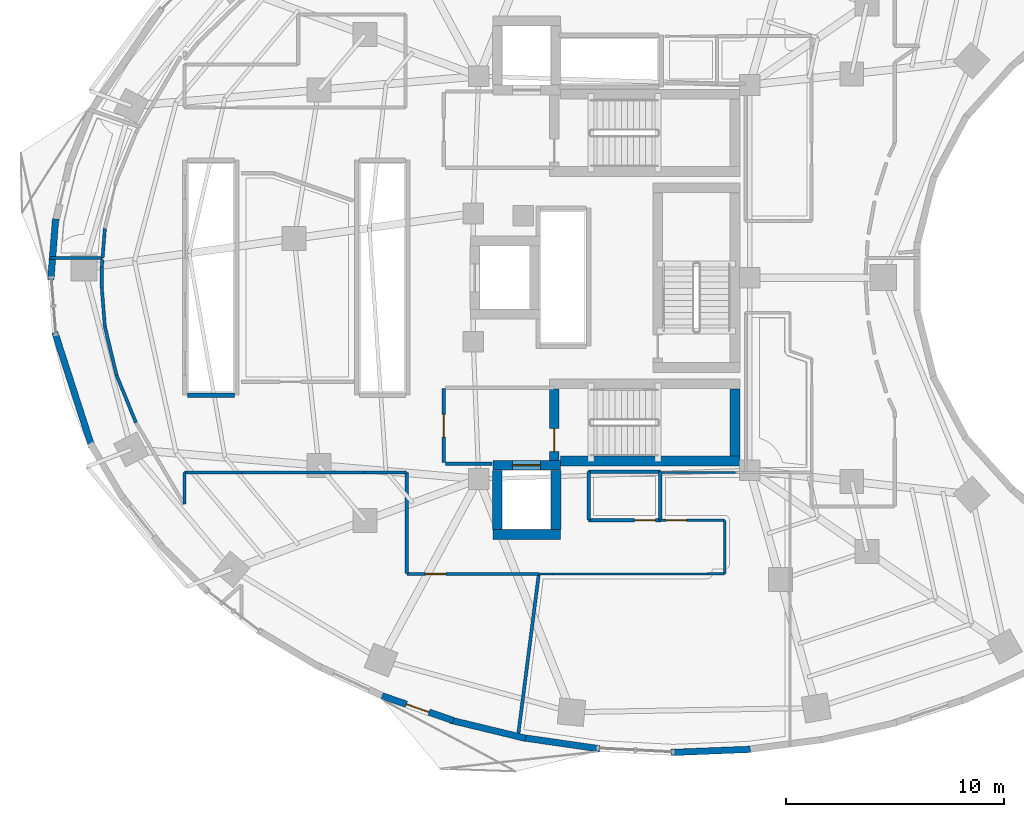
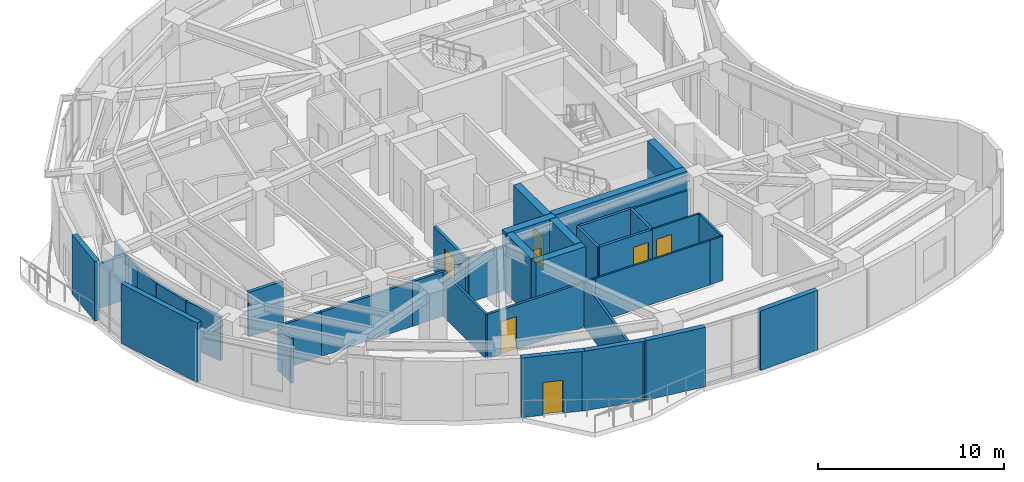
# One storey, part 8 of 15: 40 walls, 7 doors, 7 openings.
"""IFC4 building model written with IfcOpenShell, lengths in metres."""

from ifc_helpers import new_model, si_unit, direction, frame, frame_2d, origin, place, context, subcontext, project, spatial, rectangle, extrude, material, layer, layer_set, type_object, element, fill, save


model = new_model("IFC4")

# Units and contexts
model_context = context("Model", 3, precision=1e-05, world=origin(), true_north=direction((0.0, 1.0)))
body_context = subcontext(model_context, "Body", "Model", "MODEL_VIEW")
ifc_project = project(units=[si_unit("LENGTHUNIT", "METRE"), si_unit("AREAUNIT", "SQUARE_METRE"), si_unit("VOLUMEUNIT", "CUBIC_METRE"), si_unit("PLANEANGLEUNIT", "RADIAN"), si_unit("MASSUNIT", "GRAM", prefix="KILO")], contexts=[model_context])

# Site, building, storey
site_placement = place(None, origin())
site = spatial("IfcSite", under=ifc_project, at=site_placement, CompositionType="ELEMENT")
building_placement = place(site_placement, origin())
building = spatial("IfcBuilding", under=site, at=building_placement, Name="Korentha Bioscience Tower", CompositionType="ELEMENT")
storey_placement = place(building_placement, frame((0.0, 0.0, 127.800048828125)))
storey = spatial("IfcBuildingStorey", under=building, at=storey_placement, Name="L29", CompositionType="ELEMENT", Elevation=127.800048828125)

# Wall, opening, door
ifc_material_1 = material(Name="Double-Stud Acoustic Gypsum", Category="gypsum")
ifc_layer_1 = layer(ifc_material_1, 0.14990234375, Name="Double-Stud Acoustic Gypsum")
ifc_layer_set_1 = layer_set([ifc_layer_1], Name="Double-Stud Acoustic Gypsum (IW-L150)")
wall_type_1 = type_object("IfcWallType", Name="Acoustic Laboratory Partition Wall 150", PredefinedType="PARTITIONING", material=ifc_layer_set_1)
wall_1_placement = place(storey_placement, frame((21.800048828125, 13.389892578125, 0.0), z_axis=(0.0, 0.0, 1.0), x_axis=(1.0, 0.0, 0.0)))
wall_1 = element("IfcWall", 1, at=wall_1_placement, inside=storey, type_object=wall_type_1, Name="L29 Biomechanical Motion Analysis Lab 02 Entrance Wall", PredefinedType="PARTITIONING", context=body_context, shape_type="SweptSolid", body=[
    extrude(rectangle(XDim=6.062255859375, YDim=0.14990234375, at=frame_2d((3.03125, 0.0))), origin(), (0.0, 0.0, 1.0), 2.909912109375),
])
opening_1_placement = place(wall_1_placement, frame((0.8466796875, 0.0, 0.0)))
opening_1 = element("IfcOpeningElement", 2, at=opening_1_placement, cuts=wall_1, Name="Opening ID-10L", PredefinedType="OPENING", context=body_context, shape_type="SweptSolid", body=[
    extrude(rectangle(XDim=0.949951171875, YDim=2.14990234375, at=frame_2d((0.47509765625, 1.074951171875))), frame((0.0, 0.08984375, 0.0), z_axis=(0.0, -1.0, 0.0), x_axis=(1.0, 0.0, 0.0)), (0.0, 0.0, 1.0), 0.1796875),
])
ifc_material_2 = material(Name="Phenolic Laminate Timber Core", Category="wood")
door_type_1 = type_object("IfcDoorType", Name="Laboratory Single Leaf Door 950x2150 Left", OperationType="SINGLE_SWING_LEFT", PredefinedType="DOOR", material=ifc_material_2)
door_1_placement = place(opening_1_placement, origin())
door_1 = element("IfcDoor", 3, at=door_1_placement, inside=storey, type_object=door_type_1, Name="L29 Biomechanical Motion Analysis Lab 02 Door", OperationType="SINGLE_SWING_LEFT", OverallHeight=2.14990234375, OverallWidth=0.949951171875, PredefinedType="DOOR", context=body_context, shape_type="SweptSolid", body=[
    extrude(rectangle(XDim=0.949951171875, YDim=2.14990234375, at=frame_2d((0.47509765625, 1.074951171875))), frame((0.0, 0.02490234375, 0.0), z_axis=(0.0, -1.0, 0.0), x_axis=(1.0, 0.0, 0.0)), (0.0, 0.0, 1.0), 0.050048828125),
])
fill(opening_1, door_1)

# Walls
wall_2_placement = place(storey_placement, frame((5.40625, 27.89794921875, 0.0), z_axis=(0.0, 0.0, 1.0), x_axis=(1.0, 0.0, 0.0)))
element("IfcWall", 4, at=wall_2_placement, inside=storey, type_object=wall_type_1, Name="L29 Interior Partition 021", PredefinedType="PARTITIONING", context=body_context, shape_type="SweptSolid", body=[
    extrude(rectangle(XDim=2.416748046875, YDim=0.14990234375, at=frame_2d((1.20849609375, 0.0))), origin(), (0.0, 0.0, 1.0), 2.909912109375),
])
wall_3_placement = place(storey_placement, frame((7.816650390625, 27.820068359375, 0.0), z_axis=(0.0, 0.0, 1.0), x_axis=(-0.078910750646, -0.996881684771, 0.0)))
element("IfcWall", 5, at=wall_3_placement, inside=storey, type_object=wall_type_1, Name="L29 Interior Partition 022", PredefinedType="PARTITIONING", context=body_context, shape_type="SweptSolid", body=[
    extrude(rectangle(XDim=0.337158203125, YDim=0.14990234375, at=frame_2d((0.16845703125, 0.0))), origin(), (0.0, 0.0, 1.0), 2.909912109375),
])
wall_4_placement = place(storey_placement, frame((7.7900390625, 27.48291015625, 0.0), z_axis=(0.0, 0.0, 1.0), x_axis=(0.0, -1.0, 0.0)))
element("IfcWall", 6, at=wall_4_placement, inside=storey, type_object=wall_type_1, Name="L29 Interior Partition 023", PredefinedType="PARTITIONING", context=body_context, shape_type="SweptSolid", body=[
    extrude(rectangle(XDim=0.9658203125, YDim=0.14990234375, at=frame_2d((0.48291015625, 0.0))), origin(), (0.0, 0.0, 1.0), 2.909912109375),
])
wall_5_placement = place(storey_placement, frame((7.7900390625, 26.51611328125, 0.0), z_axis=(0.0, 0.0, 1.0), x_axis=(0.079131522864, -0.996864184375, 0.0)))
element("IfcWall", 7, at=wall_5_placement, inside=storey, type_object=wall_type_1, Name="L29 Interior Partition 024", PredefinedType="PARTITIONING", context=body_context, shape_type="SweptSolid", body=[
    extrude(rectangle(XDim=1.77099609375, YDim=0.14990234375, at=frame_2d((0.885498046875, 0.0))), origin(), (0.0, 0.0, 1.0), 2.909912109375),
])
wall_6_placement = place(storey_placement, frame((7.930419921875, 24.749267578125, 0.0), z_axis=(0.0, 0.0, 1.0), x_axis=(0.233675196412, -0.972314713754, 0.0)))
element("IfcWall", 8, at=wall_6_placement, inside=storey, type_object=wall_type_1, Name="L29 Interior Partition 025", PredefinedType="PARTITIONING", context=body_context, shape_type="SweptSolid", body=[
    extrude(rectangle(XDim=2.291259765625, YDim=0.14990234375, at=frame_2d((1.1455078125, 0.0))), origin(), (0.0, 0.0, 1.0), 2.909912109375),
])
wall_7_placement = place(storey_placement, frame((8.46630859375, 22.520263671875, 0.0), z_axis=(0.0, 0.0, 1.0), x_axis=(0.378306283753, -0.925680482495, 0.0)))
element("IfcWall", 9, at=wall_7_placement, inside=storey, type_object=wall_type_1, Name="L29 Interior Partition 026", PredefinedType="PARTITIONING", context=body_context, shape_type="SweptSolid", body=[
    extrude(rectangle(XDim=2.358154296875, YDim=0.14990234375, at=frame_2d((1.17919921875, 0.0))), origin(), (0.0, 0.0, 1.0), 2.909912109375),
])
wall_8_placement = place(storey_placement, frame((11.590087890625, 16.592041015625, 0.0), z_axis=(0.0, 0.0, 1.0), x_axis=(0.0, 1.0, 0.0)))
element("IfcWall", 10, at=wall_8_placement, inside=storey, type_object=wall_type_1, Name="L29 Interior Partition 028", PredefinedType="PARTITIONING", context=body_context, shape_type="SweptSolid", body=[
    extrude(rectangle(XDim=1.4560546875, YDim=0.14990234375, at=frame_2d((0.72802734375, 0.0))), origin(), (0.0, 0.0, 1.0), 2.909912109375),
])
wall_9_placement = place(storey_placement, frame((11.590087890625, 18.048095703125, 0.0), z_axis=(0.0, 0.0, 1.0), x_axis=(1.0, 0.0, 0.0)))
element("IfcWall", 11, at=wall_9_placement, inside=storey, type_object=wall_type_1, Name="L29 Interior Partition 029", PredefinedType="PARTITIONING", context=body_context, shape_type="SweptSolid", body=[
    extrude(rectangle(XDim=2.60791015625, YDim=0.14990234375, at=frame_2d((1.303955078125, 0.0))), origin(), (0.0, 0.0, 1.0), 2.909912109375),
])
wall_10_placement = place(storey_placement, frame((14.2021484375, 18.048095703125, 0.0), z_axis=(0.0, 0.0, 1.0), x_axis=(1.0, 0.0, 0.0)))
element("IfcWall", 12, at=wall_10_placement, inside=storey, type_object=wall_type_1, Name="L29 Interior Partition 030", PredefinedType="PARTITIONING", context=body_context, shape_type="SweptSolid", body=[
    extrude(rectangle(XDim=5.633056640625, YDim=0.14990234375, at=frame_2d((2.81640625, 0.0))), origin(), (0.0, 0.0, 1.0), 2.909912109375),
])
wall_11_placement = place(storey_placement, frame((19.84130859375, 18.048095703125, 0.0), z_axis=(0.0, 0.0, 1.0), x_axis=(1.0, 0.0, 0.0)))
element("IfcWall", 13, at=wall_11_placement, inside=storey, type_object=wall_type_1, Name="L29 Interior Partition 031", PredefinedType="PARTITIONING", context=body_context, shape_type="SweptSolid", body=[
    extrude(rectangle(XDim=1.94873046875, YDim=0.14990234375, at=frame_2d((0.974365234375, 0.0))), origin(), (0.0, 0.0, 1.0), 2.909912109375),
])
wall_12_placement = place(storey_placement, frame((21.7900390625, 18.048095703125, 0.0), z_axis=(0.0, 0.0, 1.0), x_axis=(0.0, -1.0, 0.0)))
element("IfcWall", 14, at=wall_12_placement, inside=storey, type_object=wall_type_1, Name="L29 Interior Partition 032", PredefinedType="PARTITIONING", context=body_context, shape_type="SweptSolid", body=[
    extrude(rectangle(XDim=4.648193359375, YDim=0.14990234375, at=frame_2d((2.32421875, 0.0))), origin(), (0.0, 0.0, 1.0), 2.909912109375),
])
wall_13_placement = place(storey_placement, frame((27.8623046875, 13.389892578125, 0.0), z_axis=(0.0, 0.0, 1.0), x_axis=(-0.127080525275, -0.991892403487, 0.0)))
element("IfcWall", 15, at=wall_13_placement, inside=storey, type_object=wall_type_1, Name="L29 Interior Partition 033", PredefinedType="PARTITIONING", context=body_context, shape_type="SweptSolid", body=[
    extrude(rectangle(XDim=7.644287109375, YDim=0.14990234375, at=frame_2d((3.822265625, 0.0))), origin(), (0.0, 0.0, 1.0), 2.909912109375),
])
wall_14_placement = place(storey_placement, frame((7.93017578125, 29.249267578125, 0.0), z_axis=(0.0, 0.0, 1.0), x_axis=(-0.079110576853, -0.996865846857, 0.0)))
element("IfcWall", 16, at=wall_14_placement, inside=storey, type_object=wall_type_1, Name="L29 Interior Partition 093", PredefinedType="PARTITIONING", context=body_context, shape_type="SweptSolid", body=[
    extrude(rectangle(XDim=1.345458984375, YDim=0.14990234375, at=frame_2d((0.6728515625, 0.0))), origin(), (0.0, 0.0, 1.0), 2.909912109375),
])

# Wall, opening, door
ifc_material_3 = material(Name="Fire-Rated Framed Glass", Category="glass")
ifc_layer_2 = layer(ifc_material_3, 0.110107421875, Name="Fire-Rated Framed Glass")
ifc_layer_set_2 = layer_set([ifc_layer_2], Name="Fire-Rated Framed Glass (IW-G110)")
wall_type_2 = type_object("IfcWallType", Name="Demountable Glazed Office Partition 110", PredefinedType="MOVABLE", material=ifc_layer_set_2)
wall_15_placement = place(storey_placement, frame((36.39990234375, 15.860107421875, 0.0), z_axis=(0.0, 0.0, 1.0), x_axis=(-1.0, 0.0, 0.0)))
wall_15 = element("IfcWall", 17, at=wall_15_placement, inside=storey, type_object=wall_type_2, Name="L29 Principal Investigator Office 03 Entrance Wall", PredefinedType="MOVABLE", context=body_context, shape_type="SweptSolid", body=[
    extrude(rectangle(XDim=2.93994140625, YDim=0.110107421875, at=frame_2d((1.469970703125, 0.0))), origin(), (0.0, 0.0, 1.0), 2.909912109375),
])
opening_2_placement = place(wall_15_placement, frame((1.75, 0.0, 0.0)))
opening_2 = element("IfcOpeningElement", 18, at=opening_2_placement, cuts=wall_15, Name="Opening ID-10R", PredefinedType="OPENING", context=body_context, shape_type="SweptSolid", body=[
    extrude(rectangle(XDim=0.949951171875, YDim=2.14990234375, at=frame_2d((0.47509765625, 1.074951171875))), frame((0.0, 0.06982421875, 0.0), z_axis=(0.0, -1.0, 0.0), x_axis=(1.0, 0.0, 0.0)), (0.0, 0.0, 1.0), 0.139892578125),
])
door_type_2 = type_object("IfcDoorType", Name="Laboratory Single Leaf Door 950x2150 Right", OperationType="SINGLE_SWING_RIGHT", PredefinedType="DOOR", material=ifc_material_2)
door_2_placement = place(opening_2_placement, origin())
door_2 = element("IfcDoor", 19, at=door_2_placement, inside=storey, type_object=door_type_2, Name="L29 Principal Investigator Office 03 Door", OperationType="SINGLE_SWING_RIGHT", OverallHeight=2.14990234375, OverallWidth=0.949951171875, PredefinedType="DOOR", context=body_context, shape_type="SweptSolid", body=[
    extrude(rectangle(XDim=0.949951171875, YDim=2.14990234375, at=frame_2d((0.47509765625, 1.074951171875))), frame((0.0, 0.02490234375, 0.0), z_axis=(0.0, -1.0, 0.0), x_axis=(1.0, 0.0, 0.0)), (0.0, 0.0, 1.0), 0.050048828125),
])
fill(opening_2, door_2)

# Walls
wall_16_placement = place(storey_placement, frame((27.872314453125, 13.389892578125, 0.0), z_axis=(0.0, 0.0, 1.0), x_axis=(1.0, 0.0, 0.0)))
element("IfcWall", 20, at=wall_16_placement, inside=storey, type_object=wall_type_2, Name="L29 Interior Partition 039", PredefinedType="MOVABLE", context=body_context, shape_type="SweptSolid", body=[
    extrude(rectangle(XDim=0.627685546875, YDim=0.110107421875, at=frame_2d((0.31396484375, 0.0))), origin(), (0.0, 0.0, 1.0), 2.909912109375),
])
wall_17_placement = place(storey_placement, frame((28.5, 13.389892578125, 0.0), z_axis=(0.0, 0.0, 1.0), x_axis=(1.0, 0.0, 0.0)))
element("IfcWall", 21, at=wall_17_placement, inside=storey, type_object=wall_type_2, Name="L29 Interior Partition 040", PredefinedType="MOVABLE", context=body_context, shape_type="SweptSolid", body=[
    extrude(rectangle(XDim=7.10009765625, YDim=0.110107421875, at=frame_2d((3.550048828125, 0.0))), origin(), (0.0, 0.0, 1.0), 2.909912109375),
])
wall_18_placement = place(storey_placement, frame((35.610107421875, 13.39990234375, 0.0), z_axis=(0.0, 0.0, 1.0), x_axis=(1.0, 0.0, 0.0)))
element("IfcWall", 22, at=wall_18_placement, inside=storey, type_object=wall_type_2, Name="L29 Interior Partition 042", PredefinedType="MOVABLE", context=body_context, shape_type="SweptSolid", body=[
    extrude(rectangle(XDim=0.789794921875, YDim=0.110107421875, at=frame_2d((0.39501953125, 0.0))), origin(), (0.0, 0.0, 1.0), 2.909912109375),
])
wall_19_placement = place(storey_placement, frame((36.39990234375, 13.39990234375, 0.0), z_axis=(0.0, 0.0, 1.0), x_axis=(0.004085258855, 0.999991655295, 0.0)))
element("IfcWall", 23, at=wall_19_placement, inside=storey, type_object=wall_type_2, Name="L29 Interior Partition 043", PredefinedType="MOVABLE", context=body_context, shape_type="SweptSolid", body=[
    extrude(rectangle(XDim=2.4501953125, YDim=0.110107421875, at=frame_2d((1.22509765625, 0.0))), origin(), (0.0, 0.0, 1.0), 2.909912109375),
])
wall_20_placement = place(storey_placement, frame((33.4599609375, 18.048095703125, 0.0), z_axis=(0.0, 0.0, 1.0), x_axis=(1.0, 0.0, 0.0)))
element("IfcWall", 24, at=wall_20_placement, inside=storey, type_object=wall_type_2, Name="L29 Interior Partition 044", PredefinedType="MOVABLE", context=body_context, shape_type="SweptSolid", body=[
    extrude(rectangle(XDim=3.446044921875, YDim=0.110107421875, at=frame_2d((1.72314453125, 0.0))), origin(), (0.0, 0.0, 1.0), 2.909912109375),
])

# Wall, opening, door
ifc_material_4 = material(Name="Gypsum-Clad Steel Stud", Category="steel")
ifc_layer_3 = layer(ifc_material_4, 0.159912109375, Name="Gypsum-Clad Steel Stud")
ifc_layer_set_3 = layer_set([ifc_layer_3], Name="Gypsum-Clad Steel Stud (IW-C160)")
wall_type_3 = type_object("IfcWallType", Name="Fire-Rated Corridor Partition Wall 160", PredefinedType="PARTITIONING", material=ifc_layer_set_3)
wall_21_placement = place(storey_placement, frame((23.5, 18.5, 0.0), z_axis=(0.0, 0.0, 1.0), x_axis=(0.0, 1.0, 0.0)))
wall_21 = element("IfcWall", 25, at=wall_21_placement, inside=storey, type_object=wall_type_3, Name="L29 FFLS-CW Rated Enclosure Wall", PredefinedType="PARTITIONING", context=body_context, shape_type="SweptSolid", body=[
    extrude(rectangle(XDim=3.39990234375, YDim=0.159912109375, at=frame_2d((1.699951171875, 0.0))), origin(), (0.0, 0.0, 1.0), 2.909912109375),
])
opening_3_placement = place(wall_21_placement, frame((1.175048828125, 0.0, 0.0)))
opening_3 = element("IfcOpeningElement", 26, at=opening_3_placement, cuts=wall_21, Name="Opening FD-90R", PredefinedType="OPENING", context=body_context, shape_type="SweptSolid", body=[
    extrude(rectangle(XDim=1.050048828125, YDim=2.14990234375, at=frame_2d((0.52490234375, 1.074951171875))), frame((0.0, 0.0947265625, 0.0), z_axis=(0.0, -1.0, 0.0), x_axis=(1.0, 0.0, 0.0)), (0.0, 0.0, 1.0), 0.189697265625),
])
ifc_material_5 = material(Name="Powder-Coated Fire-Rated Steel", Category="steel")
door_type_3 = type_object("IfcDoorType", Name="Stairwell Fire Exit Door 1050x2150 Right", OperationType="SINGLE_SWING_RIGHT", PredefinedType="DOOR", material=ifc_material_5)
door_3_placement = place(opening_3_placement, origin())
door_3 = element("IfcDoor", 27, at=door_3_placement, inside=storey, type_object=door_type_3, Name="L29 South Firefighting Lobby Door", OperationType="SINGLE_SWING_RIGHT", OverallHeight=2.14990234375, OverallWidth=1.050048828125, PredefinedType="DOOR", context=body_context, shape_type="SweptSolid", body=[
    extrude(rectangle(XDim=1.050048828125, YDim=2.14990234375, at=frame_2d((0.52490234375, 1.074951171875))), frame((0.0, 0.02490234375, 0.0), z_axis=(0.0, -1.0, 0.0), x_axis=(1.0, 0.0, 0.0)), (0.0, 0.0, 1.0), 0.050048828125),
])
fill(opening_3, door_3)

# Wall
wall_22_placement = place(storey_placement, frame((23.580078125, 18.449951171875, 0.0), z_axis=(0.0, 0.0, 1.0), x_axis=(1.0, 0.0, 0.0)))
element("IfcWall", 28, at=wall_22_placement, inside=storey, type_object=wall_type_3, Name="L29 Firefighting Lobby Return Wall FFLS-S", PredefinedType="PARTITIONING", context=body_context, shape_type="SweptSolid", body=[
    extrude(rectangle(XDim=2.119873046875, YDim=0.159912109375, at=frame_2d((1.06005859375, 0.0))), origin(), (0.0, 0.0, 1.0), 2.909912109375),
])

# Wall, opening, door
wall_23_placement = place(storey_placement, frame((33.449951171875, 15.860107421875, 0.0), z_axis=(0.0, 0.0, 1.0), x_axis=(-1.0, 0.0, 0.0)))
wall_23 = element("IfcWall", 29, at=wall_23_placement, inside=storey, type_object=wall_type_3, Name="L29 Core Instrumentation and Gas Store Entrance Wall", PredefinedType="PARTITIONING", context=body_context, shape_type="SweptSolid", body=[
    extrude(rectangle(XDim=3.300048828125, YDim=0.159912109375, at=frame_2d((1.64990234375, 0.0))), origin(), (0.0, 0.0, 1.0), 2.909912109375),
])
opening_4_placement = place(wall_23_placement, frame((0.239990234375, 0.0, 0.0)))
opening_4 = element("IfcOpeningElement", 30, at=opening_4_placement, cuts=wall_23, Name="Opening ID-10R", PredefinedType="OPENING", context=body_context, shape_type="SweptSolid", body=[
    extrude(rectangle(XDim=0.949951171875, YDim=2.14990234375, at=frame_2d((0.47509765625, 1.074951171875))), frame((0.0, 0.0947265625, 0.0), z_axis=(0.0, -1.0, 0.0), x_axis=(1.0, 0.0, 0.0)), (0.0, 0.0, 1.0), 0.189697265625),
])
door_4_placement = place(opening_4_placement, origin())
door_4 = element("IfcDoor", 31, at=door_4_placement, inside=storey, type_object=door_type_2, Name="L29 Core Instrumentation and Gas Store Door", OperationType="SINGLE_SWING_RIGHT", OverallHeight=2.14990234375, OverallWidth=0.949951171875, PredefinedType="DOOR", context=body_context, shape_type="SweptSolid", body=[
    extrude(rectangle(XDim=0.949951171875, YDim=2.14990234375, at=frame_2d((0.47509765625, 1.074951171875))), frame((0.0, 0.02490234375, 0.0), z_axis=(0.0, -1.0, 0.0), x_axis=(1.0, 0.0, 0.0)), (0.0, 0.0, 1.0), 0.050048828125),
])
fill(opening_4, door_4)

# Walls
wall_24_placement = place(storey_placement, frame((30.14990234375, 15.860107421875, 0.0), z_axis=(0.0, 0.0, 1.0), x_axis=(0.0, 1.0, 0.0)))
element("IfcWall", 32, at=wall_24_placement, inside=storey, type_object=wall_type_3, Name="L29 Interior Partition 014", PredefinedType="PARTITIONING", context=body_context, shape_type="SweptSolid", body=[
    extrude(rectangle(XDim=2.22998046875, YDim=0.159912109375, at=frame_2d((1.114990234375, 0.0))), origin(), (0.0, 0.0, 1.0), 2.909912109375),
])
wall_25_placement = place(storey_placement, frame((30.14990234375, 18.090087890625, 0.0), z_axis=(0.0, 0.0, 1.0), x_axis=(1.0, 0.0, 0.0)))
element("IfcWall", 33, at=wall_25_placement, inside=storey, type_object=wall_type_3, Name="L29 Interior Partition 015", PredefinedType="PARTITIONING", context=body_context, shape_type="SweptSolid", body=[
    extrude(rectangle(XDim=3.300048828125, YDim=0.159912109375, at=frame_2d((1.64990234375, 0.0))), origin(), (0.0, 0.0, 1.0), 2.909912109375),
])
wall_26_placement = place(storey_placement, frame((33.449951171875, 18.090087890625, 0.0), z_axis=(0.0, 0.0, 1.0), x_axis=(0.0, -1.0, 0.0)))
element("IfcWall", 34, at=wall_26_placement, inside=storey, type_object=wall_type_3, Name="L29 Interior Partition 016", PredefinedType="PARTITIONING", context=body_context, shape_type="SweptSolid", body=[
    extrude(rectangle(XDim=2.22998046875, YDim=0.159912109375, at=frame_2d((1.114990234375, 0.0))), origin(), (0.0, 0.0, 1.0), 2.909912109375),
])

# Wall, opening, door
ifc_material_6 = material(Name="Honed Limestone Precast Concrete C40", Category="masonry")
ifc_layer_4 = layer(ifc_material_6, 0.300048828125, Name="Honed Limestone Precast Concrete C40")
ifc_layer_set_4 = layer_set([ifc_layer_4], Name="Honed Limestone Precast Concrete C40 (EW-ST300)")
wall_type_4 = type_object("IfcWallType", Name="Honed Limestone Cavity Spandrel Wall 300", PredefinedType="STANDARD", material=ifc_layer_set_4)
wall_27_placement = place(storey_placement, frame((20.662109375, 7.7919921875, 0.0), z_axis=(0.0, 0.0, 1.0), x_axis=(0.944878029854, -0.3274225232, 0.0)))
wall_27 = element("IfcWall", 35, at=wall_27_placement, inside=storey, type_object=wall_type_4, Name="L29 Balcony Threshold Wall 03", PredefinedType="STANDARD", context=body_context, shape_type="SweptSolid", body=[
    extrude(rectangle(XDim=3.46728515625, YDim=0.300048828125, at=frame_2d((1.733642578125, 0.0))), origin(), (0.0, 0.0, 1.0), 3.89990234375),
])
opening_5_placement = place(wall_27_placement, frame((1.18359375, 0.0, 0.0)))
opening_5 = element("IfcOpeningElement", 36, at=opening_5_placement, cuts=wall_27, Name="Opening BD-11L", PredefinedType="OPENING", context=body_context, shape_type="SweptSolid", body=[
    extrude(rectangle(XDim=1.10009765625, YDim=2.14990234375, at=frame_2d((0.550048828125, 1.074951171875))), frame((0.0, 0.1650390625, 0.0), z_axis=(0.0, -1.0, 0.0), x_axis=(1.0, 0.0, 0.0)), (0.0, 0.0, 1.0), 0.329833984375),
])
ifc_material_7 = material(Name="Thermally Broken Glazed Aluminium", Category="aluminium")
door_type_4 = type_object("IfcDoorType", Name="Balcony Terrace Glazed Door 1100x2150 Left", OperationType="SINGLE_SWING_LEFT", PredefinedType="DOOR", material=ifc_material_7)
door_5_placement = place(opening_5_placement, origin())
door_5 = element("IfcDoor", 37, at=door_5_placement, inside=storey, type_object=door_type_4, Name="L29 Balcony Access Door 03", OperationType="SINGLE_SWING_LEFT", OverallHeight=2.14990234375, OverallWidth=1.10009765625, PredefinedType="DOOR", context=body_context, shape_type="SweptSolid", body=[
    extrude(rectangle(XDim=1.10009765625, YDim=2.14990234375, at=frame_2d((0.550048828125, 1.074951171875))), frame((0.0, 0.02490234375, 0.0), z_axis=(0.0, -1.0, 0.0), x_axis=(1.0, 0.0, 0.0)), (0.0, 0.0, 1.0), 0.050048828125),
])
fill(opening_5, door_5)

# Walls
wall_28_placement = place(storey_placement, frame((5.668701171875, 29.701171875, 0.0), z_axis=(0.0, 0.0, 1.0), x_axis=(-0.079062676622, -0.996869647028, 0.0)))
element("IfcWall", 38, at=wall_28_placement, inside=storey, type_object=wall_type_4, Name="L29 Limestone Perimeter Closure Wall 18", PredefinedType="STANDARD", context=body_context, shape_type="SweptSolid", body=[
    extrude(rectangle(XDim=2.80078125, YDim=0.300048828125, at=frame_2d((1.400390625, 0.0))), origin(), (0.0, 0.0, 1.0), 3.89990234375),
])
wall_29_placement = place(storey_placement, frame((5.631591796875, 24.48681640625, 0.0), z_axis=(0.0, 0.0, 1.0), x_axis=(0.307599470659, -0.951515930319, 0.0)))
element("IfcWall", 39, at=wall_29_placement, inside=storey, type_object=wall_type_4, Name="L29 Limestone Perimeter Closure Wall 20", PredefinedType="STANDARD", context=body_context, shape_type="SweptSolid", body=[
    extrude(rectangle(XDim=5.534423828125, YDim=0.300048828125, at=frame_2d((2.76708984375, 0.0))), origin(), (0.0, 0.0, 1.0), 3.89990234375),
])
wall_30_placement = place(storey_placement, frame((23.7841796875, 6.679931640625, 0.0), z_axis=(0.0, 0.0, 1.0), x_axis=(0.972043452321, -0.234801036625, 0.0)))
element("IfcWall", 40, at=wall_30_placement, inside=storey, type_object=wall_type_4, Name="L29 Limestone Perimeter Closure Wall 29", PredefinedType="STANDARD", context=body_context, shape_type="SweptSolid", body=[
    extrude(rectangle(XDim=3.568603515625, YDim=0.300048828125, at=frame_2d((1.7841796875, 0.0))), origin(), (0.0, 0.0, 1.0), 3.89990234375),
])
wall_31_placement = place(storey_placement, frame((27.083251953125, 5.874755859375, 0.0), z_axis=(0.0, 0.0, 1.0), x_axis=(0.989734732902, -0.142916613754, 0.0)))
element("IfcWall", 41, at=wall_31_placement, inside=storey, type_object=wall_type_4, Name="L29 Limestone Perimeter Closure Wall 30", PredefinedType="STANDARD", context=body_context, shape_type="SweptSolid", body=[
    extrude(rectangle(XDim=3.611328125, YDim=0.300048828125, at=frame_2d((1.8056640625, 0.0))), origin(), (0.0, 0.0, 1.0), 3.89990234375),
])
wall_32_placement = place(storey_placement, frame((33.94189453125, 5.189453125, 0.0), z_axis=(0.0, 0.0, 1.0), x_axis=(0.999212076676, 0.039689114679, 0.0)))
element("IfcWall", 42, at=wall_32_placement, inside=storey, type_object=wall_type_4, Name="L29 Limestone Perimeter Closure Wall 32", PredefinedType="STANDARD", context=body_context, shape_type="SweptSolid", body=[
    extrude(rectangle(XDim=3.635498046875, YDim=0.300048828125, at=frame_2d((1.81787109375, 0.0))), origin(), (0.0, 0.0, 1.0), 3.89990234375),
])
ifc_material_8 = material(Name="Autoclaved Aerated Concrete Block C25", Category="concrete")
ifc_layer_5 = layer(ifc_material_8, 0.199951171875, Name="Autoclaved Aerated Concrete Block C25")
ifc_layer_set_5 = layer_set([ifc_layer_5], Name="Autoclaved Aerated Concrete Block C25 (IW-S200)")
wall_type_5 = type_object("IfcWallType", Name="Lift and Riser Shaft Enclosure Wall 200", PredefinedType="PARTITIONING", material=ifc_layer_set_5)
wall_33_placement = place(storey_placement, frame((11.719970703125, 21.60009765625, 0.0), z_axis=(0.0, 0.0, 1.0), x_axis=(1.0, 0.0, 0.0)))
element("IfcWall", 43, at=wall_33_placement, inside=storey, type_object=wall_type_5, Name="L29 Lift Bank LOW Shaft Wall -Y", PredefinedType="PARTITIONING", context=body_context, shape_type="SweptSolid", body=[
    extrude(rectangle(XDim=2.159912109375, YDim=0.199951171875, at=frame_2d((1.080078125, 0.0))), origin(), (0.0, 0.0, 1.0), 2.909912109375),
])
ifc_material_9 = material(Name="Concrete C80", Category="concrete")
ifc_layer_6 = layer(ifc_material_9, 0.449951171875, Name="Concrete C80")
ifc_layer_set_6 = layer_set([ifc_layer_6], Name="Concrete C80 (CW-C80)")
wall_type_6 = type_object("IfcWallType", Name="Lower Core Shear Wall 450", PredefinedType="SHEAR", material=ifc_layer_set_6)
wall_34_placement = place(storey_placement, frame((28.85205078125, 18.574951171875, 0.0), z_axis=(0.0, 0.0, 1.0), x_axis=(1.0, 0.0, 0.0)))
element("IfcWall", 44, at=wall_34_placement, inside=storey, type_object=wall_type_6, Name="L29 Core Shear Wall ST2-S", PredefinedType="SHEAR", context=body_context, shape_type="SweptSolid", body=[
    extrude(rectangle(XDim=8.248046875, YDim=0.449951171875, at=frame_2d((4.1240234375, 0.0))), origin(), (0.0, 0.0, 1.0), 3.89990234375),
])
wall_35_placement = place(storey_placement, frame((36.875, 18.81005859375, 0.0), z_axis=(0.0, 0.0, 1.0), x_axis=(0.0, 1.0, 0.0)))
element("IfcWall", 45, at=wall_35_placement, inside=storey, type_object=wall_type_6, Name="L29 Core Shear Wall ST2-E", PredefinedType="SHEAR", context=body_context, shape_type="SweptSolid", body=[
    extrude(rectangle(XDim=3.079833984375, YDim=0.449951171875, at=frame_2d((1.5400390625, 0.0))), origin(), (0.0, 0.0, 1.0), 3.89990234375),
])

# Wall, opening, door
wall_36_placement = place(storey_placement, frame((28.574951171875, 18.60693359375, 0.0), z_axis=(0.0, 0.0, 1.0), x_axis=(0.0, 1.0, 0.0)))
wall_36 = element("IfcWall", 46, at=wall_36_placement, inside=storey, type_object=wall_type_6, Name="L29 Core Shear Wall ST2-W", PredefinedType="SHEAR", context=body_context, shape_type="SweptSolid", body=[
    extrude(rectangle(XDim=3.282958984375, YDim=0.449951171875, at=frame_2d((1.6416015625, 0.0))), origin(), (0.0, 0.0, 1.0), 3.89990234375),
])
opening_6_placement = place(wall_36_placement, frame((0.403076171875, 0.0, 0.0)))
opening_6 = element("IfcOpeningElement", 47, at=opening_6_placement, cuts=wall_36, Name="Opening FD-90R", PredefinedType="OPENING", context=body_context, shape_type="SweptSolid", body=[
    extrude(rectangle(XDim=1.050048828125, YDim=2.14990234375, at=frame_2d((0.52490234375, 1.074951171875))), frame((0.0, 0.23974609375, 0.0), z_axis=(0.0, -1.0, 0.0), x_axis=(1.0, 0.0, 0.0)), (0.0, 0.0, 1.0), 0.479736328125),
])
door_6_placement = place(opening_6_placement, origin())
door_6 = element("IfcDoor", 48, at=door_6_placement, inside=storey, type_object=door_type_3, Name="L29 ST-2 Fire Exit Stair Door", OperationType="SINGLE_SWING_RIGHT", OverallHeight=2.14990234375, OverallWidth=1.050048828125, PredefinedType="DOOR", context=body_context, shape_type="SweptSolid", body=[
    extrude(rectangle(XDim=1.050048828125, YDim=2.14990234375, at=frame_2d((0.52490234375, 1.074951171875))), frame((0.0, 0.02490234375, 0.0), z_axis=(0.0, -1.0, 0.0), x_axis=(1.0, 0.0, 0.0)), (0.0, 0.0, 1.0), 0.050048828125),
])
fill(opening_6, door_6)

# Wall
wall_37_placement = place(storey_placement, frame((25.75, 15.199951171875, 0.0), z_axis=(0.0, 0.0, 1.0), x_axis=(1.0, 0.0, 0.0)))
element("IfcWall", 49, at=wall_37_placement, inside=storey, type_object=wall_type_6, Name="L29 Core Shear Wall FFL1-S", PredefinedType="SHEAR", context=body_context, shape_type="SweptSolid", body=[
    extrude(rectangle(XDim=3.10009765625, YDim=0.449951171875, at=frame_2d((1.550048828125, 0.0))), origin(), (0.0, 0.0, 1.0), 3.89990234375),
])

# Wall, opening, door
wall_38_placement = place(storey_placement, frame((25.75, 18.3798828125, 0.0), z_axis=(0.0, 0.0, 1.0), x_axis=(1.0, 0.0, 0.0)))
wall_38 = element("IfcWall", 50, at=wall_38_placement, inside=storey, type_object=wall_type_6, Name="L29 Core Shear Wall FFL1-N", PredefinedType="SHEAR", context=body_context, shape_type="SweptSolid", body=[
    extrude(rectangle(XDim=3.10009765625, YDim=0.449951171875, at=frame_2d((1.550048828125, 0.0))), origin(), (0.0, 0.0, 1.0), 3.89990234375),
])
opening_7_placement = place(wall_38_placement, frame((0.89990234375, 0.0, 0.0)))
opening_7 = element("IfcOpeningElement", 51, at=opening_7_placement, cuts=wall_38, Name="Opening LD-13", PredefinedType="OPENING", context=body_context, shape_type="SweptSolid", body=[
    extrude(rectangle(XDim=1.300048828125, YDim=2.199951171875, at=frame_2d((0.64990234375, 1.10009765625))), frame((0.0, 0.23974609375, 0.0), z_axis=(0.0, -1.0, 0.0), x_axis=(1.0, 0.0, 0.0)), (0.0, 0.0, 1.0), 0.479736328125),
])
ifc_material_10 = material(Name="Brushed Stainless Steel 316", Category="steel")
door_type_5 = type_object("IfcDoorType", Name="Service & Firefighting Lift Landing Door 1300x2300", OperationType="DOUBLE_DOOR_SLIDING", PredefinedType="DOOR", material=ifc_material_10)
door_7_placement = place(opening_7_placement, origin())
door_7 = element("IfcDoor", 52, at=door_7_placement, inside=storey, type_object=door_type_5, Name="L29 FFL-1 Sliding Lift Landing Door", OperationType="DOUBLE_DOOR_SLIDING", OverallHeight=2.199951171875, OverallWidth=1.300048828125, PredefinedType="DOOR", context=body_context, shape_type="SweptSolid", body=[
    extrude(rectangle(XDim=1.300048828125, YDim=2.199951171875, at=frame_2d((0.64990234375, 1.10009765625))), frame((0.0, 0.02490234375, 0.0), z_axis=(0.0, -1.0, 0.0), x_axis=(1.0, 0.0, 0.0)), (0.0, 0.0, 1.0), 0.050048828125),
])
fill(opening_7, door_7)

# Walls
for number, where, z_axis, x_axis, name in (
    (53, (25.949951171875, 15.43994140625, 0.0), (0.0, 0.0, 1.0), (0.0, 1.0, 0.0), "L29 Core Shear Wall FFL1-W"),
    (54, (28.64990234375, 15.43994140625, 0.0), (0.0, 0.0, 1.0), (0.0, 1.0, 0.0), "L29 Core Shear Wall FFL1-E"),
):
    element("IfcWall", number, at=place(storey_placement, frame(where, z_axis=z_axis, x_axis=x_axis)), inside=storey, type_object=wall_type_6, Name=name, PredefinedType="SHEAR", context=body_context, shape_type="SweptSolid", body=[
        extrude(rectangle(XDim=2.699951171875, YDim=0.449951171875, at=frame_2d((1.35009765625, 0.0))), origin(), (0.0, 0.0, 1.0), 3.89990234375),
    ])

save(model, "model.ifc")
